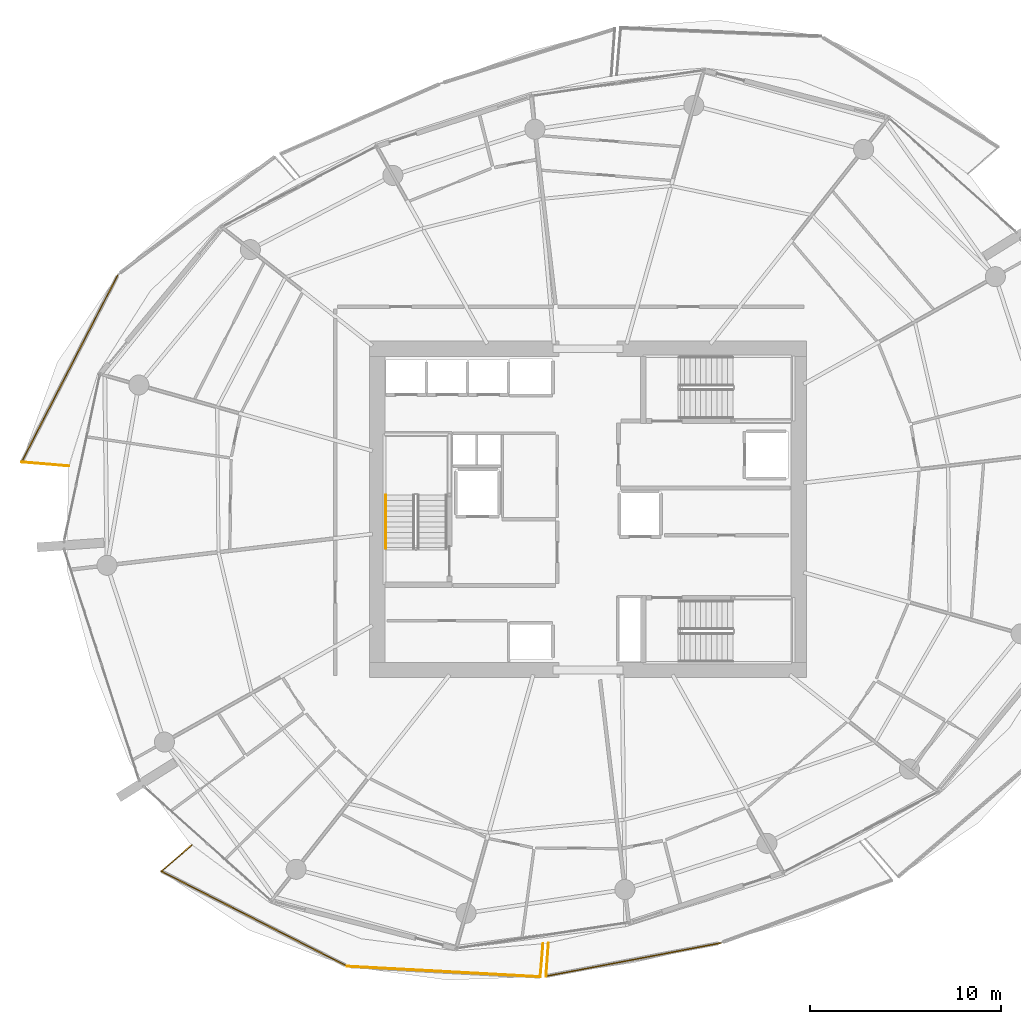
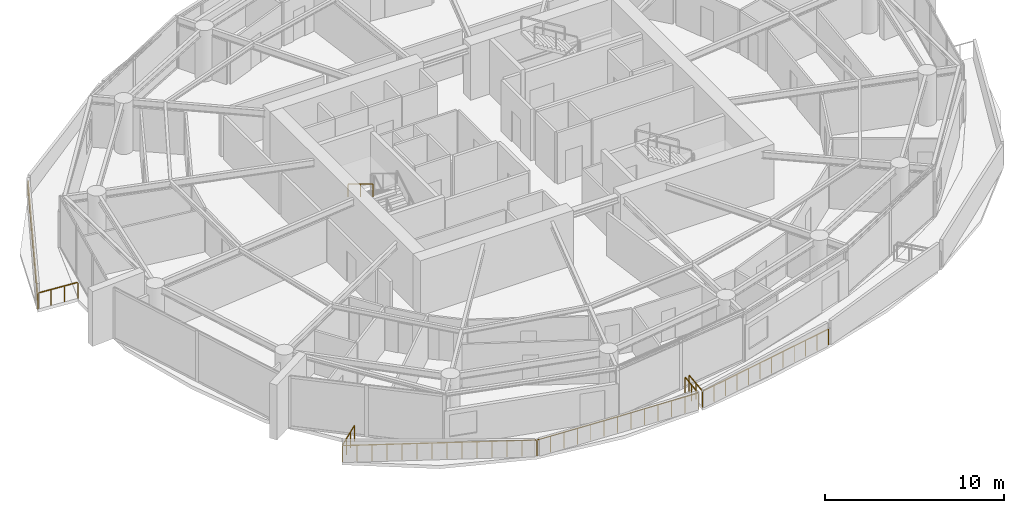
# One storey, part 16 of 20: 9 railings.
"""IFC4 building model written with IfcOpenShell, lengths in metres."""

import ifcopenshell
import ifcopenshell.guid

model = None  # the IFC model being written
_history = None  # IfcOwnerHistory: only IFC2X3 demands one
_inside = {}  # id of a spatial element -> (the spatial element, [elements in it])
_under = {}  # id of a project, library or spatial element -> (it, [spatial elements below it])
_declared = {}  # id of a project -> (the project, [libraries it declares])
_typed = {}  # id of a type object -> (the type object, [elements of that type])
_made_of = {}  # id of a material, layer set ... -> (it, [elements and type objects made of it])


def new_model(schema):
    """Start an empty IFC model of exactly this schema.

    Asked for "IFC4X3", IfcOpenShell would pick the latest addendum, in which some entities
    have other attributes; the version numbers below select the first issue.
    IFC2X3 requires an IfcOwnerHistory on every rooted entity: one is made here for all.
    """
    global model, _history
    if schema == "IFC4X3":
        model = ifcopenshell.file(schema_version=(4, 3, 0, 0))
    else:
        model = ifcopenshell.file(schema=schema)
    _inside.clear()
    _under.clear()
    _declared.clear()
    _typed.clear()
    _made_of.clear()
    _history = None
    if model.schema == "IFC2X3":
        org = make("IfcOrganization", Name="unknown")
        user = make(
            "IfcPersonAndOrganization",
            ThePerson=make("IfcPerson", FamilyName="unknown"),
            TheOrganization=org,
        )
        app = make(
            "IfcApplication",
            ApplicationDeveloper=org,
            Version="unknown",
            ApplicationFullName="unknown",
            ApplicationIdentifier="unknown",
        )
        _history = make(
            "IfcOwnerHistory",
            OwningUser=user,
            OwningApplication=app,
            ChangeAction="ADDED",
            CreationDate=0,
        )
    return model


def make(cls, **values):
    """One entity of the class cls with the attributes given. An attribute that is None is left unset."""
    return model.create_entity(
        cls, **{name: value for name, value in values.items() if value is not None}
    )


def rooted(cls, **values):
    """An entity with a GlobalId (a new one), such as an element, a storey or a relation."""
    return make(cls, GlobalId=ifcopenshell.guid.new(), OwnerHistory=_history, **values)


def si_unit(unit_type, name, prefix=None):
    """IfcSIUnit, for example si_unit("LENGTHUNIT", "METRE", prefix="MILLI")."""
    return make("IfcSIUnit", UnitType=unit_type, Prefix=prefix, Name=name)


def assignment(units):
    """IfcUnitAssignment: the units of a project."""
    return None if units is None else make("IfcUnitAssignment", Units=units)


def point(xyz):
    """IfcCartesianPoint."""
    return None if xyz is None else make("IfcCartesianPoint", Coordinates=xyz)


def direction(xyz):
    """IfcDirection."""
    return None if xyz is None else make("IfcDirection", DirectionRatios=xyz)


def frame(location, z_axis=None, x_axis=None):
    """IfcAxis2Placement3D, a coordinate frame: its origin and axes. An axis left out is left unset."""
    return make(
        "IfcAxis2Placement3D",
        Location=point(location),
        Axis=direction(z_axis),
        RefDirection=direction(x_axis),
    )


def frame_2d(location, x_axis=None):
    """IfcAxis2Placement2D, a coordinate frame in the plane: its origin and x axis."""
    return make(
        "IfcAxis2Placement2D", Location=point(location), RefDirection=direction(x_axis)
    )


def origin():
    """The frame at (0, 0, 0) with its axes left unset."""
    return frame((0.0, 0.0, 0.0))


def origin_2d():
    """The frame at (0, 0) in the plane with its x axis left unset."""
    return frame_2d((0.0, 0.0))


def place(relative_to, where):
    """IfcLocalPlacement: puts the frame where relative to a parent placement (None: the world)."""
    return make(
        "IfcLocalPlacement", PlacementRelTo=relative_to, RelativePlacement=where
    )


def context(
    kind, dimensions, precision=None, world=None, true_north=None, identifier=None
):
    """IfcGeometricRepresentationContext, for example the 3D "Model" context."""
    return make(
        "IfcGeometricRepresentationContext",
        ContextIdentifier=identifier,
        ContextType=kind,
        CoordinateSpaceDimension=dimensions,
        Precision=precision,
        WorldCoordinateSystem=world,
        TrueNorth=true_north,
    )


def subcontext(parent, identifier, kind, view, scale=None):
    """IfcGeometricRepresentationSubContext, for example "Body" below "Model"."""
    return make(
        "IfcGeometricRepresentationSubContext",
        ContextIdentifier=identifier,
        ContextType=kind,
        ParentContext=parent,
        TargetScale=scale,
        TargetView=view,
    )


def project(units=None, contexts=None):
    """IfcProject with its units and contexts."""
    return rooted(
        "IfcProject",
        Name="project",
        RepresentationContexts=contexts,
        UnitsInContext=assignment(units),
    )


def spatial(cls, under=None, at=None, **own):
    """A site, building, storey or space (cls), placed at a placement, below another one or the project."""
    s = rooted(cls, ObjectPlacement=at, **own)
    if under is not None:
        _under.setdefault(under.id(), (under, []))[1].append(s)
    return s


def profile(cls, at=None, kind="AREA", **sizes):
    """A parametric profile (cls). Its sizes go by their IFC names, for example OverallWidth=200.0."""
    return make(cls, ProfileType=kind, Position=at, **sizes)


def rectangle(**sizes):
    """IfcRectangleProfileDef."""
    return profile("IfcRectangleProfileDef", **sizes)


def extrude(swept, where, along, depth):
    """IfcExtrudedAreaSolid: the profile swept, set in the frame where, extruded along a direction by depth."""
    return make(
        "IfcExtrudedAreaSolid",
        SweptArea=swept,
        Position=where,
        ExtrudedDirection=direction(along),
        Depth=depth,
    )


def shape(context_of_items, identifier, shape_type, items):
    """IfcShapeRepresentation: the items that make up one representation, for example the "Body"."""
    return make(
        "IfcShapeRepresentation",
        ContextOfItems=context_of_items,
        RepresentationIdentifier=identifier,
        RepresentationType=shape_type,
        Items=items,
    )


def material(Name=None, Category=None):
    """IfcMaterial."""
    return make("IfcMaterial", Name=Name, Category=Category)


def made_of(thing, what):
    """Note that an element or type object is made of a material, layer set ...; save() writes the relation."""
    if what is not None:
        _made_of.setdefault(what.id(), (what, []))[1].append(thing)
    return thing


def type_object(cls, material=None, **own):
    """A type object (cls), such as IfcWallType, which elements share."""
    return made_of(rooted(cls, **own), material)


def element(
    cls,
    number,
    at=None,
    inside=None,
    cuts=None,
    type_object=None,
    material=None,
    context=None,
    identifier="Body",
    shape_type=None,
    held_by="IfcProductDefinitionShape",
    body=None,
    shapes=None,
    **own,
):
    """One element of the class cls, such as IfcWall. Its Tag is "e" and its number.

    at: its placement. inside: the storey or other place that contains it. cuts: it is an
    opening in that element (IfcRelVoidsElement). A single representation is given by context,
    identifier, shape_type and body (its items); several are given by shapes. held_by: the class
    of the entity that holds the representations. save() writes the other relations.
    """
    e = rooted(cls, Tag="e%d" % number, ObjectPlacement=at, **own)
    if body is not None:
        shapes = [shape(context, identifier, shape_type, body)]
    if shapes is not None:
        e.Representation = make(held_by, Representations=shapes)
    if inside is not None:
        _inside.setdefault(inside.id(), (inside, []))[1].append(e)
    if cuts is not None:
        rooted(
            "IfcRelVoidsElement", RelatingBuildingElement=cuts, RelatedOpeningElement=e
        )
    if type_object is not None:
        _typed.setdefault(type_object.id(), (type_object, []))[1].append(e)
    return made_of(e, material)


def aggregate(whole, parts):
    """IfcRelAggregates: a whole, such as a stair, and the parts it consists of."""
    return rooted("IfcRelAggregates", RelatingObject=whole, RelatedObjects=parts)


def save(model, path):
    """Write the relations noted so far, then the file.

    IfcRelAggregates (storeys below a building ...), IfcRelContainedInSpatialStructure (elements
    in a storey), IfcRelDefinesByType, IfcRelAssociatesMaterial and IfcRelDeclares: one each for
    every whole, place, type object, material and project.
    """
    for whole, parts in _under.values():
        aggregate(whole, parts)
    for where, things in _inside.values():
        rooted(
            "IfcRelContainedInSpatialStructure",
            RelatedElements=things,
            RelatingStructure=where,
        )
    for kind, things in _typed.values():
        rooted("IfcRelDefinesByType", RelatedObjects=things, RelatingType=kind)
    for what, things in _made_of.values():
        rooted("IfcRelAssociatesMaterial", RelatedObjects=things, RelatingMaterial=what)
    for by, libraries in _declared.values():
        rooted("IfcRelDeclares", RelatingContext=by, RelatedDefinitions=libraries)
    model.write(path)


model = new_model("IFC4")

# Units and contexts
model_context = context("Model", 3, precision=1e-05, world=origin(), true_north=direction((0.0, 1.0)))
body_context = subcontext(model_context, "Body", "Model", "MODEL_VIEW")
ifc_project = project(units=[si_unit("LENGTHUNIT", "METRE"), si_unit("AREAUNIT", "SQUARE_METRE"), si_unit("VOLUMEUNIT", "CUBIC_METRE"), si_unit("PLANEANGLEUNIT", "RADIAN"), si_unit("MASSUNIT", "GRAM", prefix="KILO")], contexts=[model_context])

# Site, building, storey
site_placement = place(None, origin())
site = spatial("IfcSite", under=ifc_project, at=site_placement, CompositionType="ELEMENT")
building_placement = place(site_placement, origin())
building = spatial("IfcBuilding", under=site, at=building_placement, Name="Kazma Halo Residences", CompositionType="ELEMENT")
storey_placement = place(building_placement, frame((0.0, 0.0, 161.550048828125)))
storey = spatial("IfcBuildingStorey", under=building, at=storey_placement, Name="L40", CompositionType="ELEMENT", Elevation=161.550048828125)

# Railings
ifc_material_1 = material(Name="Aluminium AW-6063 T6 Brushed Cap Rail", Category="aluminium")
railing_type_1 = type_object("IfcRailingType", Name="RLG-BAL-CAP-1120", PredefinedType="BALUSTRADE", material=ifc_material_1)
railing_1_placement = place(storey_placement, frame((23.8505859375, 54.3046875, 0.0)))
element("IfcRailing", 1, at=railing_1_placement, inside=storey, type_object=railing_type_1, Name="L40 NW wave balcony guard 3", PredefinedType="BALUSTRADE", context=body_context, shape_type="SweptSolid", body=[
    extrude(rectangle(XDim=0.050048828125, YDim=0.050048828125, at=origin_2d()), frame((-0.01953125, -0.037841796875, 1.09521484375), z_axis=(-0.45738295705, -0.889269830029, 0.0), x_axis=(0.889269830029, -0.45738295705, 0.0)), (0.0, 0.0, 1.0), 10.965087890625),
    extrude(rectangle(XDim=0.0400390625, YDim=0.0400390625, at=origin_2d()), origin(), (0.0, 0.0, 1.0), 1.05810546875),
    extrude(rectangle(XDim=0.0400390625, YDim=0.0400390625, at=origin_2d()), frame((-0.388671875, -0.755859375, 0.0)), (0.0, 0.0, 1.0), 1.05810546875),
    extrude(rectangle(XDim=0.0400390625, YDim=0.0400390625, at=origin_2d()), frame((-0.777587890625, -1.51171875, 0.0)), (0.0, 0.0, 1.0), 1.05810546875),
    extrude(rectangle(XDim=0.0400390625, YDim=0.0400390625, at=origin_2d()), frame((-1.166259765625, -2.267578125, 0.0)), (0.0, 0.0, 1.0), 1.05810546875),
    extrude(rectangle(XDim=0.0400390625, YDim=0.0400390625, at=origin_2d()), frame((-1.55517578125, -3.023681640625, 0.0)), (0.0, 0.0, 1.0), 1.05810546875),
    extrude(rectangle(XDim=0.0400390625, YDim=0.0400390625, at=origin_2d()), frame((-1.94384765625, -3.779541015625, 0.0)), (0.0, 0.0, 1.0), 1.05810546875),
    extrude(rectangle(XDim=0.0400390625, YDim=0.0400390625, at=origin_2d()), frame((-2.332763671875, -4.535400390625, 0.0)), (0.0, 0.0, 1.0), 1.05810546875),
    extrude(rectangle(XDim=0.0400390625, YDim=0.0400390625, at=origin_2d()), frame((-2.721435546875, -5.291259765625, 0.0)), (0.0, 0.0, 1.0), 1.05810546875),
    extrude(rectangle(XDim=0.0400390625, YDim=0.0400390625, at=origin_2d()), frame((-3.1103515625, -6.047119140625, 0.0)), (0.0, 0.0, 1.0), 1.05810546875),
    extrude(rectangle(XDim=0.0400390625, YDim=0.0400390625, at=origin_2d()), frame((-3.4990234375, -6.802978515625, 0.0)), (0.0, 0.0, 1.0), 1.05810546875),
    extrude(rectangle(XDim=0.0400390625, YDim=0.0400390625, at=origin_2d()), frame((-3.887939453125, -7.55908203125, 0.0)), (0.0, 0.0, 1.0), 1.05810546875),
    extrude(rectangle(XDim=0.0400390625, YDim=0.0400390625, at=origin_2d()), frame((-4.276611328125, -8.31494140625, 0.0)), (0.0, 0.0, 1.0), 1.05810546875),
    extrude(rectangle(XDim=0.0400390625, YDim=0.0400390625, at=origin_2d()), frame((-4.66552734375, -9.07080078125, 0.0)), (0.0, 0.0, 1.0), 1.05810546875),
    extrude(rectangle(XDim=0.0400390625, YDim=0.0400390625, at=origin_2d()), frame((-5.05419921875, -9.82666015625, 0.0)), (0.0, 0.0, 1.0), 1.05810546875),
])
railing_2_placement = place(storey_placement, frame((18.79638671875, 44.47802734375, 0.0)))
element("IfcRailing", 2, at=railing_2_placement, inside=storey, type_object=railing_type_1, Name="L40 NW wave balcony guard 4", PredefinedType="BALUSTRADE", context=body_context, shape_type="SweptSolid", body=[
    extrude(rectangle(XDim=0.050048828125, YDim=0.050048828125, at=origin_2d()), frame((0.04248046875, -0.003662109375, 1.09521484375), z_axis=(0.99641551306, -0.084593884732, 0.0), x_axis=(0.084593884732, 0.99641551306, 0.0)), (0.0, 0.0, 1.0), 2.39404296875),
    extrude(rectangle(XDim=0.0400390625, YDim=0.0400390625, at=origin_2d()), origin(), (0.0, 0.0, 1.0), 1.05810546875),
    extrude(rectangle(XDim=0.0400390625, YDim=0.0400390625, at=origin_2d()), frame((0.823486328125, -0.06982421875, 0.0)), (0.0, 0.0, 1.0), 1.05810546875),
    extrude(rectangle(XDim=0.0400390625, YDim=0.0400390625, at=origin_2d()), frame((1.646728515625, -0.139892578125, 0.0)), (0.0, 0.0, 1.0), 1.05810546875),
    extrude(rectangle(XDim=0.0400390625, YDim=0.0400390625, at=origin_2d()), frame((2.47021484375, -0.209716796875, 0.0)), (0.0, 0.0, 1.0), 1.05810546875),
])
railing_3_placement = place(storey_placement, frame((27.705322265625, 24.451416015625, 0.0)))
element("IfcRailing", 3, at=railing_3_placement, inside=storey, type_object=railing_type_1, Name="L40 SW wave balcony guard 1", PredefinedType="BALUSTRADE", context=body_context, shape_type="SweptSolid", body=[
    extrude(rectangle(XDim=0.050048828125, YDim=0.050048828125, at=origin_2d()), frame((-0.0322265625, -0.02783203125, 1.09521484375), z_axis=(-0.756372461646, -0.654141192147, 0.0), x_axis=(0.654141192147, -0.756372461646, 0.0)), (0.0, 0.0, 1.0), 2.023681640625),
    extrude(rectangle(XDim=0.0400390625, YDim=0.0400390625, at=origin_2d()), origin(), (0.0, 0.0, 1.0), 1.05810546875),
    extrude(rectangle(XDim=0.0400390625, YDim=0.0400390625, at=origin_2d()), frame((-0.53173828125, -0.459716796875, 0.0)), (0.0, 0.0, 1.0), 1.05810546875),
    extrude(rectangle(XDim=0.0400390625, YDim=0.0400390625, at=origin_2d()), frame((-1.063232421875, -0.919677734375, 0.0)), (0.0, 0.0, 1.0), 1.05810546875),
    extrude(rectangle(XDim=0.0400390625, YDim=0.0400390625, at=origin_2d()), frame((-1.594970703125, -1.37939453125, 0.0)), (0.0, 0.0, 1.0), 1.05810546875),
])
railing_4_placement = place(storey_placement, frame((26.1103515625, 23.072021484375, 0.0)))
element("IfcRailing", 4, at=railing_4_placement, inside=storey, type_object=railing_type_1, Name="L40 SW wave balcony guard 2", PredefinedType="BALUSTRADE", context=body_context, shape_type="SweptSolid", body=[
    extrude(rectangle(XDim=0.050048828125, YDim=0.050048828125, at=origin_2d()), frame((0.037841796875, -0.019287109375, 1.09521484375), z_axis=(0.890194561223, -0.45558055618, 0.0), x_axis=(0.45558055618, 0.890194561223, 0.0)), (0.0, 0.0, 1.0), 10.82568359375),
    extrude(rectangle(XDim=0.0400390625, YDim=0.0400390625, at=origin_2d()), origin(), (0.0, 0.0, 1.0), 1.05810546875),
    extrude(rectangle(XDim=0.0400390625, YDim=0.0400390625, at=origin_2d()), frame((0.7470703125, -0.38232421875, 0.0)), (0.0, 0.0, 1.0), 1.05810546875),
    extrude(rectangle(XDim=0.0400390625, YDim=0.0400390625, at=origin_2d()), frame((1.494140625, -0.7646484375, 0.0)), (0.0, 0.0, 1.0), 1.05810546875),
    extrude(rectangle(XDim=0.0400390625, YDim=0.0400390625, at=origin_2d()), frame((2.241455078125, -1.14697265625, 0.0)), (0.0, 0.0, 1.0), 1.05810546875),
    extrude(rectangle(XDim=0.0400390625, YDim=0.0400390625, at=origin_2d()), frame((2.988525390625, -1.529541015625, 0.0)), (0.0, 0.0, 1.0), 1.05810546875),
    extrude(rectangle(XDim=0.0400390625, YDim=0.0400390625, at=origin_2d()), frame((3.735595703125, -1.911865234375, 0.0)), (0.0, 0.0, 1.0), 1.05810546875),
    extrude(rectangle(XDim=0.0400390625, YDim=0.0400390625, at=origin_2d()), frame((4.482666015625, -2.294189453125, 0.0)), (0.0, 0.0, 1.0), 1.05810546875),
    extrude(rectangle(XDim=0.0400390625, YDim=0.0400390625, at=origin_2d()), frame((5.22998046875, -2.676513671875, 0.0)), (0.0, 0.0, 1.0), 1.05810546875),
    extrude(rectangle(XDim=0.0400390625, YDim=0.0400390625, at=origin_2d()), frame((5.97705078125, -3.058837890625, 0.0)), (0.0, 0.0, 1.0), 1.05810546875),
    extrude(rectangle(XDim=0.0400390625, YDim=0.0400390625, at=origin_2d()), frame((6.72412109375, -3.441162109375, 0.0)), (0.0, 0.0, 1.0), 1.05810546875),
    extrude(rectangle(XDim=0.0400390625, YDim=0.0400390625, at=origin_2d()), frame((7.47119140625, -3.82373046875, 0.0)), (0.0, 0.0, 1.0), 1.05810546875),
    extrude(rectangle(XDim=0.0400390625, YDim=0.0400390625, at=origin_2d()), frame((8.218505859375, -4.2060546875, 0.0)), (0.0, 0.0, 1.0), 1.05810546875),
    extrude(rectangle(XDim=0.0400390625, YDim=0.0400390625, at=origin_2d()), frame((8.965576171875, -4.58837890625, 0.0)), (0.0, 0.0, 1.0), 1.05810546875),
    extrude(rectangle(XDim=0.0400390625, YDim=0.0400390625, at=origin_2d()), frame((9.712646484375, -4.970703125, 0.0)), (0.0, 0.0, 1.0), 1.05810546875),
])
railing_5_placement = place(storey_placement, frame((35.822998046875, 18.101318359375, 0.0)))
element("IfcRailing", 5, at=railing_5_placement, inside=storey, type_object=railing_type_1, Name="L40 SW wave balcony guard 3", PredefinedType="BALUSTRADE", context=body_context, shape_type="SweptSolid", body=[
    extrude(rectangle(XDim=0.050048828125, YDim=0.050048828125, at=origin_2d()), frame((0.04248046875, -0.002197265625, 1.09521484375), z_axis=(0.998521071605, -0.054366069945, 0.0), x_axis=(0.054366069945, 0.998521071605, 0.0)), (0.0, 0.0, 1.0), 10.032470703125),
    extrude(rectangle(XDim=0.0400390625, YDim=0.0400390625, at=origin_2d()), origin(), (0.0, 0.0, 1.0), 1.05810546875),
    extrude(rectangle(XDim=0.0400390625, YDim=0.0400390625, at=origin_2d()), frame((0.841796875, -0.0458984375, 0.0)), (0.0, 0.0, 1.0), 1.05810546875),
    extrude(rectangle(XDim=0.0400390625, YDim=0.0400390625, at=origin_2d()), frame((1.683837890625, -0.091796875, 0.0)), (0.0, 0.0, 1.0), 1.05810546875),
    extrude(rectangle(XDim=0.0400390625, YDim=0.0400390625, at=origin_2d()), frame((2.525634765625, -0.137451171875, 0.0)), (0.0, 0.0, 1.0), 1.05810546875),
    extrude(rectangle(XDim=0.0400390625, YDim=0.0400390625, at=origin_2d()), frame((3.367431640625, -0.183349609375, 0.0)), (0.0, 0.0, 1.0), 1.05810546875),
    extrude(rectangle(XDim=0.0400390625, YDim=0.0400390625, at=origin_2d()), frame((4.20947265625, -0.229248046875, 0.0)), (0.0, 0.0, 1.0), 1.05810546875),
    extrude(rectangle(XDim=0.0400390625, YDim=0.0400390625, at=origin_2d()), frame((5.05126953125, -0.27490234375, 0.0)), (0.0, 0.0, 1.0), 1.05810546875),
    extrude(rectangle(XDim=0.0400390625, YDim=0.0400390625, at=origin_2d()), frame((5.89306640625, -0.32080078125, 0.0)), (0.0, 0.0, 1.0), 1.05810546875),
    extrude(rectangle(XDim=0.0400390625, YDim=0.0400390625, at=origin_2d()), frame((6.735107421875, -0.36669921875, 0.0)), (0.0, 0.0, 1.0), 1.05810546875),
    extrude(rectangle(XDim=0.0400390625, YDim=0.0400390625, at=origin_2d()), frame((7.576904296875, -0.41259765625, 0.0)), (0.0, 0.0, 1.0), 1.05810546875),
    extrude(rectangle(XDim=0.0400390625, YDim=0.0400390625, at=origin_2d()), frame((8.418701171875, -0.45849609375, 0.0)), (0.0, 0.0, 1.0), 1.05810546875),
    extrude(rectangle(XDim=0.0400390625, YDim=0.0400390625, at=origin_2d()), frame((9.2607421875, -0.504150390625, 0.0)), (0.0, 0.0, 1.0), 1.05810546875),
    extrude(rectangle(XDim=0.0400390625, YDim=0.0400390625, at=origin_2d()), frame((10.1025390625, -0.550048828125, 0.0)), (0.0, 0.0, 1.0), 1.05810546875),
])
railing_6_placement = place(storey_placement, frame((45.925537109375, 17.55126953125, 0.0)))
element("IfcRailing", 6, at=railing_6_placement, inside=storey, type_object=railing_type_1, Name="L40 SW wave balcony guard 4", PredefinedType="BALUSTRADE", context=body_context, shape_type="SweptSolid", body=[
    extrude(rectangle(XDim=0.050048828125, YDim=0.050048828125, at=origin_2d()), frame((0.003662109375, 0.04248046875, 1.09521484375), z_axis=(0.084454920282, 0.996427301131, 0.0), x_axis=(-0.996427301131, 0.084454920282, 0.0)), (0.0, 0.0, 1.0), 1.6494140625),
    extrude(rectangle(XDim=0.0400390625, YDim=0.0400390625, at=origin_2d()), origin(), (0.0, 0.0, 1.0), 1.05810546875),
    extrude(rectangle(XDim=0.0400390625, YDim=0.0400390625, at=origin_2d()), frame((0.0732421875, 0.8642578125, 0.0)), (0.0, 0.0, 1.0), 1.05810546875),
    extrude(rectangle(XDim=0.0400390625, YDim=0.0400390625, at=origin_2d()), frame((0.146484375, 1.728271484375, 0.0)), (0.0, 0.0, 1.0), 1.05810546875),
])
railing_7_placement = place(storey_placement, frame((46.3544921875, 19.32177734375, 0.0)))
element("IfcRailing", 7, at=railing_7_placement, inside=storey, type_object=railing_type_1, Name="L40 SSE wave balcony guard 1", PredefinedType="BALUSTRADE", context=body_context, shape_type="SweptSolid", body=[
    extrude(rectangle(XDim=0.050048828125, YDim=0.050048828125, at=origin_2d()), frame((-0.003173828125, -0.04248046875, 1.09521484375), z_axis=(-0.072391344873, -0.997376304705, 0.0), x_axis=(0.997376304705, -0.072391344873, 0.0)), (0.0, 0.0, 1.0), 1.658447265625),
    extrude(rectangle(XDim=0.0400390625, YDim=0.0400390625, at=origin_2d()), origin(), (0.0, 0.0, 1.0), 1.05810546875),
    extrude(rectangle(XDim=0.0400390625, YDim=0.0400390625, at=origin_2d()), frame((-0.06298828125, -0.86962890625, 0.0)), (0.0, 0.0, 1.0), 1.05810546875),
    extrude(rectangle(XDim=0.0400390625, YDim=0.0400390625, at=origin_2d()), frame((-0.126220703125, -1.739013671875, 0.0)), (0.0, 0.0, 1.0), 1.05810546875),
])
railing_8_placement = place(storey_placement, frame((46.228271484375, 17.582763671875, 0.0)))
element("IfcRailing", 8, at=railing_8_placement, inside=storey, type_object=railing_type_1, Name="L40 SSE wave balcony guard 2", PredefinedType="BALUSTRADE", context=body_context, shape_type="SweptSolid", body=[
    extrude(rectangle(XDim=0.050048828125, YDim=0.050048828125, at=origin_2d()), frame((0.041748046875, 0.008056640625, 1.09521484375), z_axis=(0.982403273544, 0.186772075349, 0.0), x_axis=(-0.186772075349, 0.982403273544, 0.0)), (0.0, 0.0, 1.0), 9.21923828125),
    extrude(rectangle(XDim=0.0400390625, YDim=0.0400390625, at=origin_2d()), origin(), (0.0, 0.0, 1.0), 1.05810546875),
    extrude(rectangle(XDim=0.0400390625, YDim=0.0400390625, at=origin_2d()), frame((0.8310546875, 0.157958984375, 0.0)), (0.0, 0.0, 1.0), 1.05810546875),
    extrude(rectangle(XDim=0.0400390625, YDim=0.0400390625, at=origin_2d()), frame((1.661865234375, 0.31591796875, 0.0)), (0.0, 0.0, 1.0), 1.05810546875),
    extrude(rectangle(XDim=0.0400390625, YDim=0.0400390625, at=origin_2d()), frame((2.492919921875, 0.473876953125, 0.0)), (0.0, 0.0, 1.0), 1.05810546875),
    extrude(rectangle(XDim=0.0400390625, YDim=0.0400390625, at=origin_2d()), frame((3.323974609375, 0.6318359375, 0.0)), (0.0, 0.0, 1.0), 1.05810546875),
    extrude(rectangle(XDim=0.0400390625, YDim=0.0400390625, at=origin_2d()), frame((4.15478515625, 0.789794921875, 0.0)), (0.0, 0.0, 1.0), 1.05810546875),
    extrude(rectangle(XDim=0.0400390625, YDim=0.0400390625, at=origin_2d()), frame((4.98583984375, 0.947998046875, 0.0)), (0.0, 0.0, 1.0), 1.05810546875),
    extrude(rectangle(XDim=0.0400390625, YDim=0.0400390625, at=origin_2d()), frame((5.816650390625, 1.10595703125, 0.0)), (0.0, 0.0, 1.0), 1.05810546875),
    extrude(rectangle(XDim=0.0400390625, YDim=0.0400390625, at=origin_2d()), frame((6.647705078125, 1.263916015625, 0.0)), (0.0, 0.0, 1.0), 1.05810546875),
    extrude(rectangle(XDim=0.0400390625, YDim=0.0400390625, at=origin_2d()), frame((7.478759765625, 1.421875, 0.0)), (0.0, 0.0, 1.0), 1.05810546875),
    extrude(rectangle(XDim=0.0400390625, YDim=0.0400390625, at=origin_2d()), frame((8.3095703125, 1.579833984375, 0.0)), (0.0, 0.0, 1.0), 1.05810546875),
    extrude(rectangle(XDim=0.0400390625, YDim=0.0400390625, at=origin_2d()), frame((9.140625, 1.73779296875, 0.0)), (0.0, 0.0, 1.0), 1.05810546875),
])
ifc_material_2 = material(Name="Brushed Stainless Steel", Category="steel")
railing_type_2 = type_object("IfcRailingType", Name="RLG-STAIR-HND-900", PredefinedType="HANDRAIL", material=ifc_material_2)
railing_9_placement = place(storey_placement, frame((37.85009765625, 42.75, 2.04541015625)))
element("IfcRailing", 9, at=railing_9_placement, inside=storey, type_object=railing_type_2, Name="L40 ST-01 stair handrail 2", PredefinedType="HANDRAIL", context=body_context, shape_type="SweptSolid", body=[
    extrude(rectangle(XDim=0.050048828125, YDim=0.050048828125, at=origin_2d()), frame((0.0, -0.036376953125, 0.89697265625), z_axis=(0.0, -0.854169791009, 0.51999420009), x_axis=(1.0, 0.0, 0.0)), (0.0, 0.0, 1.0), 3.193115234375),
    extrude(rectangle(XDim=0.0400390625, YDim=0.0400390625, at=origin_2d()), origin(), (0.0, 0.0, 1.0), 0.837890625),
    extrude(rectangle(XDim=0.0400390625, YDim=0.0400390625, at=origin_2d()), frame((0.0, -1.39990234375, 0.852294921875)), (0.0, 0.0, 1.0), 0.837890625),
    extrude(rectangle(XDim=0.0400390625, YDim=0.0400390625, at=origin_2d()), frame((0.0, -2.800048828125, 1.70458984375)), (0.0, 0.0, 1.0), 0.837890625),
])

save(model, "model.ifc")
